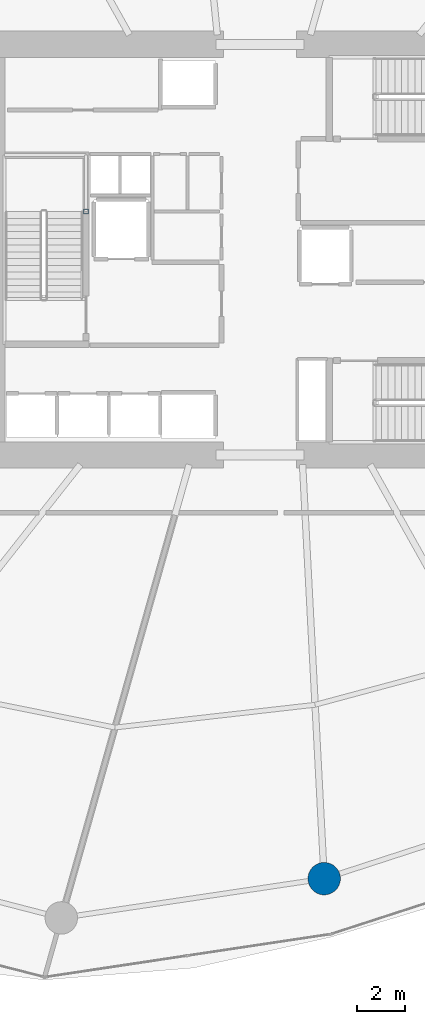
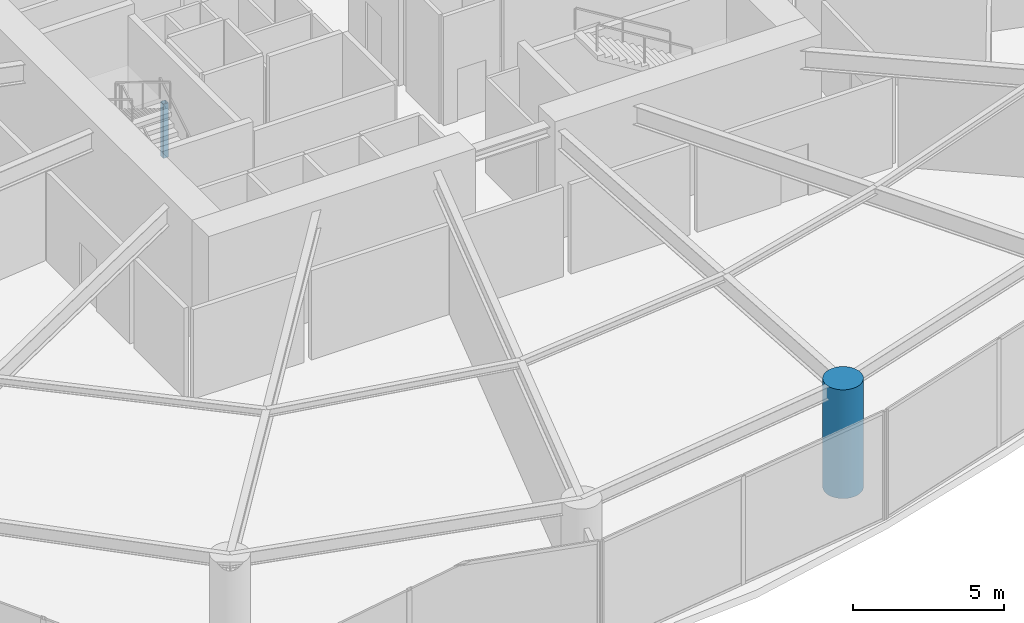
# One storey, part 2 of 22: 2 columns.
"""IFC4 building model written with IfcOpenShell, lengths in metres."""

import ifcopenshell
import ifcopenshell.guid

model = None  # the IFC model being written
_history = None  # IfcOwnerHistory: only IFC2X3 demands one
_inside = {}  # id of a spatial element -> (the spatial element, [elements in it])
_under = {}  # id of a project, library or spatial element -> (it, [spatial elements below it])
_declared = {}  # id of a project -> (the project, [libraries it declares])
_typed = {}  # id of a type object -> (the type object, [elements of that type])
_made_of = {}  # id of a material, layer set ... -> (it, [elements and type objects made of it])


def new_model(schema):
    """Start an empty IFC model of exactly this schema.

    Asked for "IFC4X3", IfcOpenShell would pick the latest addendum, in which some entities
    have other attributes; the version numbers below select the first issue.
    IFC2X3 requires an IfcOwnerHistory on every rooted entity: one is made here for all.
    """
    global model, _history
    if schema == "IFC4X3":
        model = ifcopenshell.file(schema_version=(4, 3, 0, 0))
    else:
        model = ifcopenshell.file(schema=schema)
    _inside.clear()
    _under.clear()
    _declared.clear()
    _typed.clear()
    _made_of.clear()
    _history = None
    if model.schema == "IFC2X3":
        org = make("IfcOrganization", Name="unknown")
        user = make(
            "IfcPersonAndOrganization",
            ThePerson=make("IfcPerson", FamilyName="unknown"),
            TheOrganization=org,
        )
        app = make(
            "IfcApplication",
            ApplicationDeveloper=org,
            Version="unknown",
            ApplicationFullName="unknown",
            ApplicationIdentifier="unknown",
        )
        _history = make(
            "IfcOwnerHistory",
            OwningUser=user,
            OwningApplication=app,
            ChangeAction="ADDED",
            CreationDate=0,
        )
    return model


def make(cls, **values):
    """One entity of the class cls with the attributes given. An attribute that is None is left unset."""
    return model.create_entity(
        cls, **{name: value for name, value in values.items() if value is not None}
    )


def rooted(cls, **values):
    """An entity with a GlobalId (a new one), such as an element, a storey or a relation."""
    return make(cls, GlobalId=ifcopenshell.guid.new(), OwnerHistory=_history, **values)


def si_unit(unit_type, name, prefix=None):
    """IfcSIUnit, for example si_unit("LENGTHUNIT", "METRE", prefix="MILLI")."""
    return make("IfcSIUnit", UnitType=unit_type, Prefix=prefix, Name=name)


def assignment(units):
    """IfcUnitAssignment: the units of a project."""
    return None if units is None else make("IfcUnitAssignment", Units=units)


def point(xyz):
    """IfcCartesianPoint."""
    return None if xyz is None else make("IfcCartesianPoint", Coordinates=xyz)


def direction(xyz):
    """IfcDirection."""
    return None if xyz is None else make("IfcDirection", DirectionRatios=xyz)


def frame(location, z_axis=None, x_axis=None):
    """IfcAxis2Placement3D, a coordinate frame: its origin and axes. An axis left out is left unset."""
    return make(
        "IfcAxis2Placement3D",
        Location=point(location),
        Axis=direction(z_axis),
        RefDirection=direction(x_axis),
    )


def frame_2d(location, x_axis=None):
    """IfcAxis2Placement2D, a coordinate frame in the plane: its origin and x axis."""
    return make(
        "IfcAxis2Placement2D", Location=point(location), RefDirection=direction(x_axis)
    )


def origin():
    """The frame at (0, 0, 0) with its axes left unset."""
    return frame((0.0, 0.0, 0.0))


def origin_2d():
    """The frame at (0, 0) in the plane with its x axis left unset."""
    return frame_2d((0.0, 0.0))


def place(relative_to, where):
    """IfcLocalPlacement: puts the frame where relative to a parent placement (None: the world)."""
    return make(
        "IfcLocalPlacement", PlacementRelTo=relative_to, RelativePlacement=where
    )


def context(
    kind, dimensions, precision=None, world=None, true_north=None, identifier=None
):
    """IfcGeometricRepresentationContext, for example the 3D "Model" context."""
    return make(
        "IfcGeometricRepresentationContext",
        ContextIdentifier=identifier,
        ContextType=kind,
        CoordinateSpaceDimension=dimensions,
        Precision=precision,
        WorldCoordinateSystem=world,
        TrueNorth=true_north,
    )


def subcontext(parent, identifier, kind, view, scale=None):
    """IfcGeometricRepresentationSubContext, for example "Body" below "Model"."""
    return make(
        "IfcGeometricRepresentationSubContext",
        ContextIdentifier=identifier,
        ContextType=kind,
        ParentContext=parent,
        TargetScale=scale,
        TargetView=view,
    )


def project(units=None, contexts=None):
    """IfcProject with its units and contexts."""
    return rooted(
        "IfcProject",
        Name="project",
        RepresentationContexts=contexts,
        UnitsInContext=assignment(units),
    )


def spatial(cls, under=None, at=None, **own):
    """A site, building, storey or space (cls), placed at a placement, below another one or the project."""
    s = rooted(cls, ObjectPlacement=at, **own)
    if under is not None:
        _under.setdefault(under.id(), (under, []))[1].append(s)
    return s


def profile(cls, at=None, kind="AREA", **sizes):
    """A parametric profile (cls). Its sizes go by their IFC names, for example OverallWidth=200.0."""
    return make(cls, ProfileType=kind, Position=at, **sizes)


def hollow_rectangle(**sizes):
    """IfcRectangleHollowProfileDef."""
    return profile("IfcRectangleHollowProfileDef", **sizes)


def circle(**sizes):
    """IfcCircleProfileDef."""
    return profile("IfcCircleProfileDef", **sizes)


def extrude(swept, where, along, depth):
    """IfcExtrudedAreaSolid: the profile swept, set in the frame where, extruded along a direction by depth."""
    return make(
        "IfcExtrudedAreaSolid",
        SweptArea=swept,
        Position=where,
        ExtrudedDirection=direction(along),
        Depth=depth,
    )


def shape(context_of_items, identifier, shape_type, items):
    """IfcShapeRepresentation: the items that make up one representation, for example the "Body"."""
    return make(
        "IfcShapeRepresentation",
        ContextOfItems=context_of_items,
        RepresentationIdentifier=identifier,
        RepresentationType=shape_type,
        Items=items,
    )


def material(Name=None, Category=None):
    """IfcMaterial."""
    return make("IfcMaterial", Name=Name, Category=Category)


def material_profile(
    of_material, cross_section, Name=None, Category=None, Priority=None
):
    """IfcMaterialProfile: a cross section and its material."""
    return make(
        "IfcMaterialProfile",
        Name=Name,
        Material=of_material,
        Profile=cross_section,
        Priority=Priority,
        Category=Category,
    )


def profile_set(profiles, Name=None, composite=None):
    """IfcMaterialProfileSet."""
    return make(
        "IfcMaterialProfileSet",
        Name=Name,
        MaterialProfiles=profiles,
        CompositeProfile=composite,
    )


def made_of(thing, what):
    """Note that an element or type object is made of a material, layer set ...; save() writes the relation."""
    if what is not None:
        _made_of.setdefault(what.id(), (what, []))[1].append(thing)
    return thing


def type_object(cls, material=None, **own):
    """A type object (cls), such as IfcWallType, which elements share."""
    return made_of(rooted(cls, **own), material)


def element(
    cls,
    number,
    at=None,
    inside=None,
    cuts=None,
    type_object=None,
    material=None,
    context=None,
    identifier="Body",
    shape_type=None,
    held_by="IfcProductDefinitionShape",
    body=None,
    shapes=None,
    **own,
):
    """One element of the class cls, such as IfcWall. Its Tag is "e" and its number.

    at: its placement. inside: the storey or other place that contains it. cuts: it is an
    opening in that element (IfcRelVoidsElement). A single representation is given by context,
    identifier, shape_type and body (its items); several are given by shapes. held_by: the class
    of the entity that holds the representations. save() writes the other relations.
    """
    e = rooted(cls, Tag="e%d" % number, ObjectPlacement=at, **own)
    if body is not None:
        shapes = [shape(context, identifier, shape_type, body)]
    if shapes is not None:
        e.Representation = make(held_by, Representations=shapes)
    if inside is not None:
        _inside.setdefault(inside.id(), (inside, []))[1].append(e)
    if cuts is not None:
        rooted(
            "IfcRelVoidsElement", RelatingBuildingElement=cuts, RelatedOpeningElement=e
        )
    if type_object is not None:
        _typed.setdefault(type_object.id(), (type_object, []))[1].append(e)
    return made_of(e, material)


def aggregate(whole, parts):
    """IfcRelAggregates: a whole, such as a stair, and the parts it consists of."""
    return rooted("IfcRelAggregates", RelatingObject=whole, RelatedObjects=parts)


def save(model, path):
    """Write the relations noted so far, then the file.

    IfcRelAggregates (storeys below a building ...), IfcRelContainedInSpatialStructure (elements
    in a storey), IfcRelDefinesByType, IfcRelAssociatesMaterial and IfcRelDeclares: one each for
    every whole, place, type object, material and project.
    """
    for whole, parts in _under.values():
        aggregate(whole, parts)
    for where, things in _inside.values():
        rooted(
            "IfcRelContainedInSpatialStructure",
            RelatedElements=things,
            RelatingStructure=where,
        )
    for kind, things in _typed.values():
        rooted("IfcRelDefinesByType", RelatedObjects=things, RelatingType=kind)
    for what, things in _made_of.values():
        rooted("IfcRelAssociatesMaterial", RelatedObjects=things, RelatingMaterial=what)
    for by, libraries in _declared.values():
        rooted("IfcRelDeclares", RelatingContext=by, RelatedDefinitions=libraries)
    model.write(path)


model = new_model("IFC4")

# Units and contexts
model_context = context("Model", 3, precision=1e-05, world=origin(), true_north=direction((0.0, 1.0)))
body_context = subcontext(model_context, "Body", "Model", "MODEL_VIEW")
ifc_project = project(units=[si_unit("LENGTHUNIT", "METRE"), si_unit("AREAUNIT", "SQUARE_METRE"), si_unit("VOLUMEUNIT", "CUBIC_METRE"), si_unit("PLANEANGLEUNIT", "RADIAN"), si_unit("MASSUNIT", "GRAM", prefix="KILO")], contexts=[model_context])

# Site, building, storey
site_placement = place(None, origin())
site = spatial("IfcSite", under=ifc_project, at=site_placement, CompositionType="ELEMENT")
building_placement = place(site_placement, origin())
building = spatial("IfcBuilding", under=site, at=building_placement, Name="Kazma Halo Residences", CompositionType="ELEMENT")
storey_placement = place(building_placement, frame((0.0, 0.0, 16.800048828125)))
storey = spatial("IfcBuildingStorey", under=building, at=storey_placement, Name="L03", CompositionType="ELEMENT", Elevation=16.800048828125)

# Columns
ifc_material_1 = material(Name="Steel S355", Category="steel")
ifc_material_profile_1 = material_profile(ifc_material_1, hollow_rectangle(XDim=0.199951171875, YDim=0.199951171875, WallThickness=0.010009765625, InnerFilletRadius=0.010009765625, OuterFilletRadius=0.02001953125, at=origin_2d()), Name="SHS200x200x10")
ifc_profile_set_1 = profile_set([ifc_material_profile_1], Name="Steel S355")
column_type_1 = type_object("IfcColumnType", Name="COL-LP-SHS200", PredefinedType="COLUMN", material=ifc_profile_set_1)
column_1_placement = place(storey_placement, frame((41.179931640625, 43.590087890625, 0.0), z_axis=(0.0, 0.0, 1.0), x_axis=(1.0, 0.0, 0.0)))
element("IfcColumn", 1, at=column_1_placement, inside=storey, type_object=column_type_1, Name="L03 ST-01 landing pilaster 1", PredefinedType="COLUMN", context=body_context, shape_type="SweptSolid", body=[
    extrude(hollow_rectangle(XDim=0.199951171875, YDim=0.199951171875, WallThickness=0.010009765625, InnerFilletRadius=0.010009765625, OuterFilletRadius=0.02001953125, at=origin_2d()), origin(), (0.0, 0.0, 1.0), 2.195068359375),
])
ifc_material_2 = material(Name="Concrete C80/95", Category="concrete")
ifc_material_profile_2 = material_profile(ifc_material_2, circle(Radius=0.675048828125, at=origin_2d()), Name="CIRC1350")
ifc_profile_set_2 = profile_set([ifc_material_profile_2], Name="Concrete C80/95")
column_type_2 = type_object("IfcColumnType", Name="COL-PERIM-1350", PredefinedType="COLUMN", material=ifc_profile_set_2)
column_2_placement = place(storey_placement, frame((51.1005859375, 15.803955078125, 0.0), z_axis=(0.0, 0.0, 1.0), x_axis=(1.0, 0.0, 0.0)))
element("IfcColumn", 2, at=column_2_placement, inside=storey, type_object=column_type_2, Name="L03 perimeter ring column P12", PredefinedType="COLUMN", context=body_context, shape_type="SweptSolid", body=[
    extrude(circle(Radius=0.675048828125, at=origin_2d()), origin(), (0.0, 0.0, 1.0), 4.39990234375),
])

save(model, "model.ifc")
